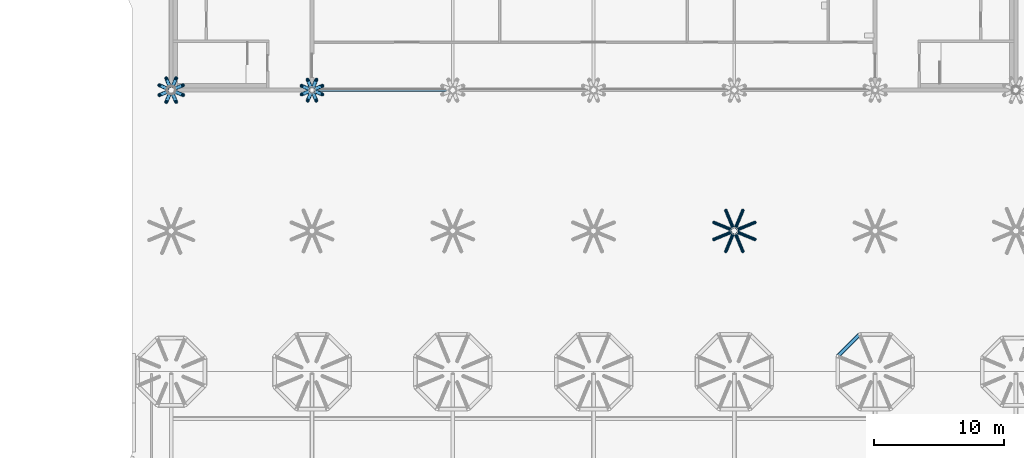
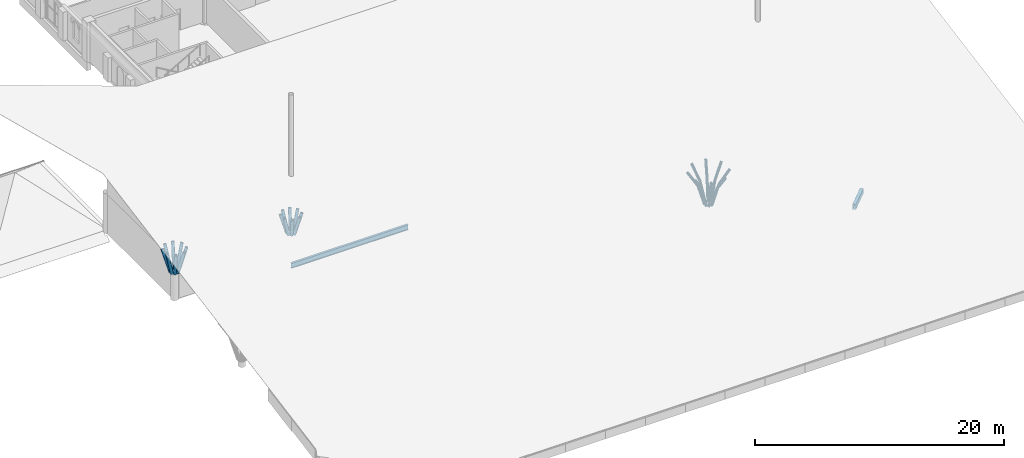
# One storey, part 11 of 56: 32 members, 2 beams.
"""IFC4 building model written with IfcOpenShell, lengths in metres."""

from ifc_helpers import new_model, si_unit, direction, frame, origin, origin_2d, place, context, subcontext, project, spatial, hollow_rectangle, hollow_circle, i_section, extrude, clip, halfspace, material, material_profile, profile_set, type_object, element, save


model = new_model("IFC4")

# Units and contexts
model_context = context("Model", 3, precision=1e-05, world=origin(), true_north=direction((0.0, 1.0)))
body_context = subcontext(model_context, "Body", "Model", "MODEL_VIEW")
ifc_project = project(units=[si_unit("LENGTHUNIT", "METRE"), si_unit("AREAUNIT", "SQUARE_METRE"), si_unit("VOLUMEUNIT", "CUBIC_METRE"), si_unit("PLANEANGLEUNIT", "RADIAN"), si_unit("MASSUNIT", "GRAM", prefix="KILO")], contexts=[model_context])

# Site, building, storey
site_placement = place(None, origin())
site = spatial("IfcSite", under=ifc_project, at=site_placement, CompositionType="ELEMENT")
building_placement = place(site_placement, origin())
building = spatial("IfcBuilding", under=site, at=building_placement, Name="Magnolia Steps Interchange", CompositionType="ELEMENT")
storey_placement = place(building_placement, frame((0.0, 0.0, 8.699951171875)))
storey = spatial("IfcBuildingStorey", under=building, at=storey_placement, Name="L02", CompositionType="ELEMENT", Elevation=8.699951171875)

# Beams
ifc_material_1 = material(Name="Steel Q355B", Category="steel")
ifc_material_profile_1 = material_profile(ifc_material_1, hollow_rectangle(XDim=0.300048828125, YDim=0.5, WallThickness=0.01611328125, InnerFilletRadius=0.01611328125, OuterFilletRadius=0.031982421875, at=origin_2d()), Name="RHS500x300x16")
ifc_profile_set_1 = profile_set([ifc_material_profile_1], Name="Steel Q355B")
beam_type_1 = type_object("IfcBeamType", Name="Ring beam RHS500x300x16", PredefinedType="BEAM", material=ifc_profile_set_1)
beam_1_placement = place(storey_placement, frame((106.013671875, 56.06396484375, 3.424560546875), z_axis=(-0.707106781187, -0.707106781187, 0.0), x_axis=(0.707106781187, -0.707106781187, 0.0)))
element("IfcBeam", 1, at=beam_1_placement, inside=storey, type_object=beam_type_1, Name="Ring beam TH06B", PredefinedType="BEAM", context=body_context, shape_type="Clipping", body=[
    clip(clip(extrude(hollow_rectangle(XDim=0.300048828125, YDim=0.5, WallThickness=0.01611328125, InnerFilletRadius=0.01611328125, OuterFilletRadius=0.031982421875, at=origin_2d()), origin(), (0.0, 0.0, 1.0), 2.37255859375), halfspace(frame((0.0, 0.0, 0.0), z_axis=(0.382683433, 0.0, -0.923879532), x_axis=(0.923879532, 0.0, 0.382683433)), False)), halfspace(frame((0.0, 0.0, 2.372674707), z_axis=(0.382683433, 0.0, 0.923879532), x_axis=(0.923879532, 0.0, -0.382683433)), False)),
])
ifc_material_2 = material(Name="Steel Q355B", Category="steel")
ifc_material_profile_2 = material_profile(ifc_material_2, i_section(OverallWidth=0.199951171875, OverallDepth=0.5, WebThickness=0.010009765625, FlangeThickness=0.01611328125, FilletRadius=0.02001953125, at=origin_2d()), Name="HN500x200")
ifc_profile_set_2 = profile_set([ifc_material_profile_2], Name="Steel Q355B")
beam_type_2 = type_object("IfcBeamType", Name="Steel composite beam HN500x200", PredefinedType="BEAM", material=ifc_profile_set_2)
beam_2_placement = place(storey_placement, frame((64.0, 74.800048828125, -0.550048828125), z_axis=(1.0, 0.0, 0.0), x_axis=(0.0, 1.0, 0.0)))
element("IfcBeam", 2, at=beam_2_placement, inside=storey, type_object=beam_type_2, Name="Beam L02 G 6-7", PredefinedType="BEAM", context=body_context, shape_type="SweptSolid", body=[
    extrude(i_section(OverallWidth=0.199951171875, OverallDepth=0.5, WebThickness=0.010009765625, FlangeThickness=0.01611328125, FilletRadius=0.02001953125, at=origin_2d()), origin(), (0.0, 0.0, 1.0), 10.800048828125),
])

# Members
ifc_material_3 = material(Name="Steel Q355B", Category="steel")
ifc_material_profile_3 = material_profile(ifc_material_3, hollow_circle(Radius=0.12255859375, WallThickness=0.011962890625, at=origin_2d()), Name="CHS245x12")
ifc_profile_set_3 = profile_set([ifc_material_profile_3], Name="Steel Q355B")
member_type_1 = type_object("IfcMemberType", Name="Tree rib CHS245x12", PredefinedType="USERDEFINED", material=ifc_profile_set_3)
member_1_placement = place(storey_placement, frame((96.6953125, 64.122314453125, 0.670166015625), z_axis=(0.254558632303, 0.105468983952, 0.961288820357), x_axis=(-0.382768141022, 0.923844440487, 0.0)))
element("IfcMember", 3, at=member_1_placement, inside=storey, type_object=member_type_1, Name="Tree rib TH05C", ObjectType="TREE RIB", PredefinedType="USERDEFINED", context=body_context, shape_type="SweptSolid", body=[
    extrude(hollow_circle(Radius=0.12255859375, WallThickness=0.011962890625, at=origin_2d()), origin(), (0.0, 0.0, 1.0), 1.942138671875),
])
member_2_placement = place(storey_placement, frame((97.189697265625, 64.3271484375, 2.537109375), z_axis=(0.489571014481, 0.202820124805, 0.848047297475), x_axis=(-0.382736860682, 0.923857399968, 0.0)))
element("IfcMember", 4, at=member_2_placement, inside=storey, type_object=member_type_1, Name="Tree rib TH05C", ObjectType="TREE RIB", PredefinedType="USERDEFINED", context=body_context, shape_type="SweptSolid", body=[
    extrude(hollow_circle(Radius=0.12255859375, WallThickness=0.011962890625, at=origin_2d()), origin(), (0.0, 0.0, 1.0), 1.6201171875),
])
member_3_placement = place(storey_placement, frame((96.522216796875, 64.295166015625, 0.670166015625), z_axis=(0.105465608268, 0.254676188738, 0.961258052951), x_axis=(-0.923911239629, 0.382606875641, 0.0)))
element("IfcMember", 5, at=member_3_placement, inside=storey, type_object=member_type_1, Name="Tree rib TH05C", ObjectType="TREE RIB", PredefinedType="USERDEFINED", context=body_context, shape_type="SweptSolid", body=[
    extrude(hollow_circle(Radius=0.12255859375, WallThickness=0.011962890625, at=origin_2d()), origin(), (0.0, 0.0, 1.0), 1.942138671875),
])
member_4_placement = place(storey_placement, frame((96.72705078125, 64.789794921875, 2.537109375), z_axis=(0.202820124805, 0.489571014481, 0.848047297475), x_axis=(-0.923857399968, 0.382736860682, 0.0)))
element("IfcMember", 6, at=member_4_placement, inside=storey, type_object=member_type_1, Name="Tree rib TH05C", ObjectType="TREE RIB", PredefinedType="USERDEFINED", context=body_context, shape_type="SweptSolid", body=[
    extrude(hollow_circle(Radius=0.12255859375, WallThickness=0.011962890625, at=origin_2d()), origin(), (0.0, 0.0, 1.0), 1.6201171875),
])
member_5_placement = place(storey_placement, frame((96.277587890625, 64.295166015625, 0.670166015625), z_axis=(-0.105341300058, 0.254679563148, 0.961270789433), x_axis=(-0.924072388976, -0.382217503436, 0.0)))
element("IfcMember", 7, at=member_5_placement, inside=storey, type_object=member_type_1, Name="Tree rib TH05C", ObjectType="TREE RIB", PredefinedType="USERDEFINED", context=body_context, shape_type="SweptSolid", body=[
    extrude(hollow_circle(Radius=0.12255859375, WallThickness=0.011962890625, at=origin_2d()), origin(), (0.0, 0.0, 1.0), 1.942138671875),
])
member_6_placement = place(storey_placement, frame((96.072998046875, 64.789794921875, 2.537109375), z_axis=(-0.202820124805, 0.489571014481, 0.848047297475), x_axis=(-0.923857399968, -0.382736860682, 0.0)))
element("IfcMember", 8, at=member_6_placement, inside=storey, type_object=member_type_1, Name="Tree rib TH05C", ObjectType="TREE RIB", PredefinedType="USERDEFINED", context=body_context, shape_type="SweptSolid", body=[
    extrude(hollow_circle(Radius=0.12255859375, WallThickness=0.011962890625, at=origin_2d()), origin(), (0.0, 0.0, 1.0), 1.6201171875),
])
member_7_placement = place(storey_placement, frame((96.104736328125, 64.122314453125, 0.670166015625), z_axis=(-0.254676188738, 0.105465608268, 0.961258052951), x_axis=(-0.382606875641, -0.923911239629, 0.0)))
element("IfcMember", 9, at=member_7_placement, inside=storey, type_object=member_type_1, Name="Tree rib TH05C", ObjectType="TREE RIB", PredefinedType="USERDEFINED", context=body_context, shape_type="SweptSolid", body=[
    extrude(hollow_circle(Radius=0.12255859375, WallThickness=0.011962890625, at=origin_2d()), origin(), (0.0, 0.0, 1.0), 1.942138671875),
])
member_8_placement = place(storey_placement, frame((95.610107421875, 64.3271484375, 2.537109375), z_axis=(-0.489571014481, 0.202820124805, 0.848047297475), x_axis=(-0.382736860682, -0.923857399968, 0.0)))
element("IfcMember", 10, at=member_8_placement, inside=storey, type_object=member_type_1, Name="Tree rib TH05C", ObjectType="TREE RIB", PredefinedType="USERDEFINED", context=body_context, shape_type="SweptSolid", body=[
    extrude(hollow_circle(Radius=0.12255859375, WallThickness=0.011962890625, at=origin_2d()), origin(), (0.0, 0.0, 1.0), 1.6201171875),
])
member_9_placement = place(storey_placement, frame((96.104736328125, 63.877685546875, 0.670166015625), z_axis=(-0.254676188738, -0.105465608268, 0.961258052951), x_axis=(0.382606875641, -0.923911239629, 0.0)))
element("IfcMember", 11, at=member_9_placement, inside=storey, type_object=member_type_1, Name="Tree rib TH05C", ObjectType="TREE RIB", PredefinedType="USERDEFINED", context=body_context, shape_type="SweptSolid", body=[
    extrude(hollow_circle(Radius=0.12255859375, WallThickness=0.011962890625, at=origin_2d()), origin(), (0.0, 0.0, 1.0), 1.942138671875),
])
member_10_placement = place(storey_placement, frame((95.610107421875, 63.6728515625, 2.537109375), z_axis=(-0.489571014481, -0.202820124805, 0.848047297475), x_axis=(0.382736860682, -0.923857399968, 0.0)))
element("IfcMember", 12, at=member_10_placement, inside=storey, type_object=member_type_1, Name="Tree rib TH05C", ObjectType="TREE RIB", PredefinedType="USERDEFINED", context=body_context, shape_type="SweptSolid", body=[
    extrude(hollow_circle(Radius=0.12255859375, WallThickness=0.011962890625, at=origin_2d()), origin(), (0.0, 0.0, 1.0), 1.6201171875),
])
member_11_placement = place(storey_placement, frame((96.277587890625, 63.704833984375, 0.670166015625), z_axis=(-0.105341300058, -0.254679563148, 0.961270789433), x_axis=(0.924072388976, -0.382217503436, 0.0)))
element("IfcMember", 13, at=member_11_placement, inside=storey, type_object=member_type_1, Name="Tree rib TH05C", ObjectType="TREE RIB", PredefinedType="USERDEFINED", context=body_context, shape_type="SweptSolid", body=[
    extrude(hollow_circle(Radius=0.12255859375, WallThickness=0.011962890625, at=origin_2d()), origin(), (0.0, 0.0, 1.0), 1.942138671875),
])
member_12_placement = place(storey_placement, frame((96.072998046875, 63.210205078125, 2.537109375), z_axis=(-0.202820124805, -0.489571014481, 0.848047297475), x_axis=(0.923857399968, -0.382736860682, 0.0)))
element("IfcMember", 14, at=member_12_placement, inside=storey, type_object=member_type_1, Name="Tree rib TH05C", ObjectType="TREE RIB", PredefinedType="USERDEFINED", context=body_context, shape_type="SweptSolid", body=[
    extrude(hollow_circle(Radius=0.12255859375, WallThickness=0.011962890625, at=origin_2d()), origin(), (0.0, 0.0, 1.0), 1.6201171875),
])
member_13_placement = place(storey_placement, frame((96.522216796875, 63.704833984375, 0.670166015625), z_axis=(0.105465608268, -0.254676188738, 0.961258052951), x_axis=(0.923911239629, 0.382606875641, 0.0)))
element("IfcMember", 15, at=member_13_placement, inside=storey, type_object=member_type_1, Name="Tree rib TH05C", ObjectType="TREE RIB", PredefinedType="USERDEFINED", context=body_context, shape_type="SweptSolid", body=[
    extrude(hollow_circle(Radius=0.12255859375, WallThickness=0.011962890625, at=origin_2d()), origin(), (0.0, 0.0, 1.0), 1.942138671875),
])
member_14_placement = place(storey_placement, frame((96.72705078125, 63.210205078125, 2.537109375), z_axis=(0.202820124805, -0.489571014481, 0.848047297475), x_axis=(0.923857399968, 0.382736860682, 0.0)))
element("IfcMember", 16, at=member_14_placement, inside=storey, type_object=member_type_1, Name="Tree rib TH05C", ObjectType="TREE RIB", PredefinedType="USERDEFINED", context=body_context, shape_type="SweptSolid", body=[
    extrude(hollow_circle(Radius=0.12255859375, WallThickness=0.011962890625, at=origin_2d()), origin(), (0.0, 0.0, 1.0), 1.6201171875),
])
member_15_placement = place(storey_placement, frame((96.6953125, 63.877685546875, 0.670166015625), z_axis=(0.254558632303, -0.105468983952, 0.961288820357), x_axis=(0.382768141022, 0.923844440487, 0.0)))
element("IfcMember", 17, at=member_15_placement, inside=storey, type_object=member_type_1, Name="Tree rib TH05C", ObjectType="TREE RIB", PredefinedType="USERDEFINED", context=body_context, shape_type="SweptSolid", body=[
    extrude(hollow_circle(Radius=0.12255859375, WallThickness=0.011962890625, at=origin_2d()), origin(), (0.0, 0.0, 1.0), 1.942138671875),
])
member_16_placement = place(storey_placement, frame((97.189697265625, 63.6728515625, 2.537109375), z_axis=(0.489571014481, -0.202820124805, 0.848047297475), x_axis=(0.382736860682, 0.923857399968, 0.0)))
element("IfcMember", 18, at=member_16_placement, inside=storey, type_object=member_type_1, Name="Tree rib TH05C", ObjectType="TREE RIB", PredefinedType="USERDEFINED", context=body_context, shape_type="SweptSolid", body=[
    extrude(hollow_circle(Radius=0.12255859375, WallThickness=0.011962890625, at=origin_2d()), origin(), (0.0, 0.0, 1.0), 1.6201171875),
])
ifc_material_4 = material(Name="Steel Q355B", Category="steel")
ifc_material_profile_4 = material_profile(ifc_material_4, hollow_circle(Radius=0.136474609375, WallThickness=0.013916015625, at=origin_2d()), Name="CHS273x14")
ifc_profile_set_4 = profile_set([ifc_material_profile_4], Name="Steel Q355B")
member_type_2 = type_object("IfcMemberType", Name="Tree rib CHS273x14", PredefinedType="USERDEFINED", material=ifc_profile_set_4)
for number, where, z_axis, x_axis, name in (
    (19, (53.5048828125, 74.92626953125, 2.645751953125), (0.254701340525, 0.105485476775, 0.961249208751), (-0.382636144688, 0.923899118291, 0.0), "Tree rib TH01D"),
    (20, (53.326416015625, 75.10498046875, 2.645751953125), (0.105386950155, 0.254608316895, 0.96128465904), (-0.923976075343, 0.382450274146, 0.0), "Tree rib TH01D"),
    (21, (53.07373046875, 75.10498046875, 2.645751953125), (-0.105488227892, 0.254605567514, 0.961274278636), (-0.923844700065, -0.382767514508, 0.0), "Tree rib TH01D"),
    (22, (52.89501953125, 74.92626953125, 2.645751953125), (-0.254605567514, 0.105488227892, 0.961274278636), (-0.382767514508, -0.923844700065, 0.0), "Tree rib TH01D"),
    (23, (52.89501953125, 74.673583984375, 2.645751953125), (-0.254608316895, -0.105386950155, 0.96128465904), (0.382450274146, -0.923976075343, 0.0), "Tree rib TH01D"),
    (24, (53.07373046875, 74.4951171875, 2.645751953125), (-0.105485476775, -0.254701340525, 0.961249208751), (0.923899118291, -0.382636144688, 0.0), "Tree rib TH01D"),
    (25, (53.326416015625, 74.4951171875, 2.645751953125), (0.10538420162, -0.254704090796, 0.961259588343), (0.924030411119, 0.382318975891, 0.0), "Tree rib TH01D"),
    (26, (53.5048828125, 74.673583984375, 2.645751953125), (0.254704090796, -0.10538420162, 0.961259588343), (0.382318975891, 0.924030411119, 0.0), "Tree rib TH01D"),
):
    element("IfcMember", number, at=place(storey_placement, frame(where, z_axis=z_axis, x_axis=x_axis)), inside=storey, type_object=member_type_2, Name=name, ObjectType="TREE RIB", PredefinedType="USERDEFINED", context=body_context, shape_type="SweptSolid", body=[
        extrude(hollow_circle(Radius=0.136474609375, WallThickness=0.013916015625, at=origin_2d()), origin(), (0.0, 0.0, 1.0), 2.3837890625),
    ])
for number, where, z_axis, x_axis, name in (
    (27, (64.304931640625, 74.92626953125, 2.645751953125), (0.254661831218, 0.105558015292, 0.961251713719), (-0.382911401564, 0.923785071622, 0.0), "Tree rib TH02D"),
    (28, (64.126220703125, 75.10498046875, 2.645751953125), (0.105558015292, 0.254661831218, 0.961251713719), (-0.923785071622, 0.382911401564, 0.0), "Tree rib TH02D"),
    (29, (63.873779296875, 75.10498046875, 2.645751953125), (-0.105558015292, 0.254661831218, 0.961251713719), (-0.923785071622, -0.382911401564, 0.0), "Tree rib TH02D"),
    (30, (63.695068359375, 74.92626953125, 2.645751953125), (-0.254661831218, 0.105558015292, 0.961251713719), (-0.382911401564, -0.923785071622, 0.0), "Tree rib TH02D"),
):
    element("IfcMember", number, at=place(storey_placement, frame(where, z_axis=z_axis, x_axis=x_axis)), inside=storey, type_object=member_type_2, Name=name, ObjectType="TREE RIB", PredefinedType="USERDEFINED", context=body_context, shape_type="SweptSolid", body=[
        extrude(hollow_circle(Radius=0.136474609375, WallThickness=0.013916015625, at=origin_2d()), origin(), (0.0, 0.0, 1.0), 1.956787109375),
    ])
member_17_placement = place(storey_placement, frame((63.695068359375, 74.673583984375, 2.645751953125), z_axis=(-0.254665183401, -0.10543463007, 0.961264366938), x_axis=(0.382525049986, -0.923945120737, 0.0)))
element("IfcMember", 31, at=member_17_placement, inside=storey, type_object=member_type_2, Name="Tree rib TH02D", ObjectType="TREE RIB", PredefinedType="USERDEFINED", context=body_context, shape_type="SweptSolid", body=[
    extrude(hollow_circle(Radius=0.136474609375, WallThickness=0.013916015625, at=origin_2d()), origin(), (0.0, 0.0, 1.0), 1.95654296875),
])
for number, where, z_axis, x_axis, name in (
    (32, (63.873779296875, 74.4951171875, 2.645751953125), (-0.105558015292, -0.254661831218, 0.961251713719), (0.923785071622, -0.382911401564, 0.0), "Tree rib TH02D"),
    (33, (64.126220703125, 74.4951171875, 2.645751953125), (0.105558015292, -0.254661831218, 0.961251713719), (0.923785071622, 0.382911401564, 0.0), "Tree rib TH02D"),
):
    element("IfcMember", number, at=place(storey_placement, frame(where, z_axis=z_axis, x_axis=x_axis)), inside=storey, type_object=member_type_2, Name=name, ObjectType="TREE RIB", PredefinedType="USERDEFINED", context=body_context, shape_type="SweptSolid", body=[
        extrude(hollow_circle(Radius=0.136474609375, WallThickness=0.013916015625, at=origin_2d()), origin(), (0.0, 0.0, 1.0), 1.956787109375),
    ])
member_18_placement = place(storey_placement, frame((64.304931640625, 74.673583984375, 2.645751953125), z_axis=(0.254665183401, -0.10543463007, 0.961264366938), x_axis=(0.382525049986, 0.923945120737, 0.0)))
element("IfcMember", 34, at=member_18_placement, inside=storey, type_object=member_type_2, Name="Tree rib TH02D", ObjectType="TREE RIB", PredefinedType="USERDEFINED", context=body_context, shape_type="SweptSolid", body=[
    extrude(hollow_circle(Radius=0.136474609375, WallThickness=0.013916015625, at=origin_2d()), origin(), (0.0, 0.0, 1.0), 1.95654296875),
])

save(model, "model.ifc")
